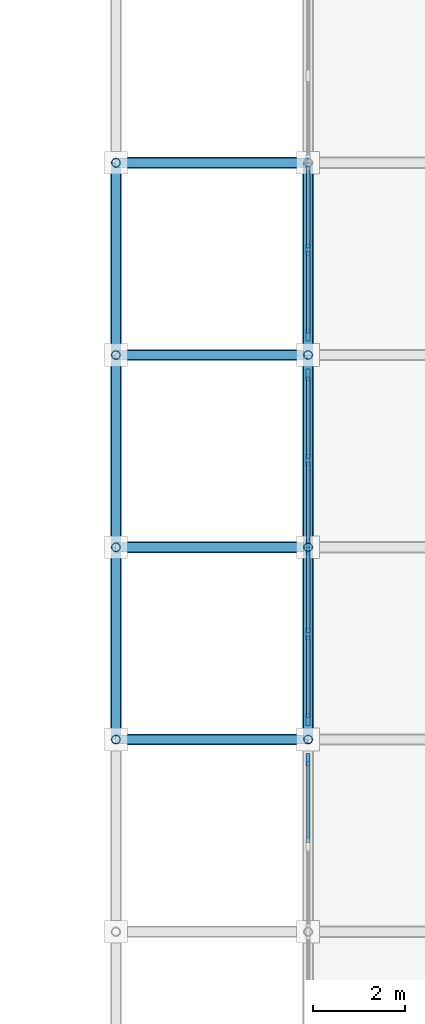
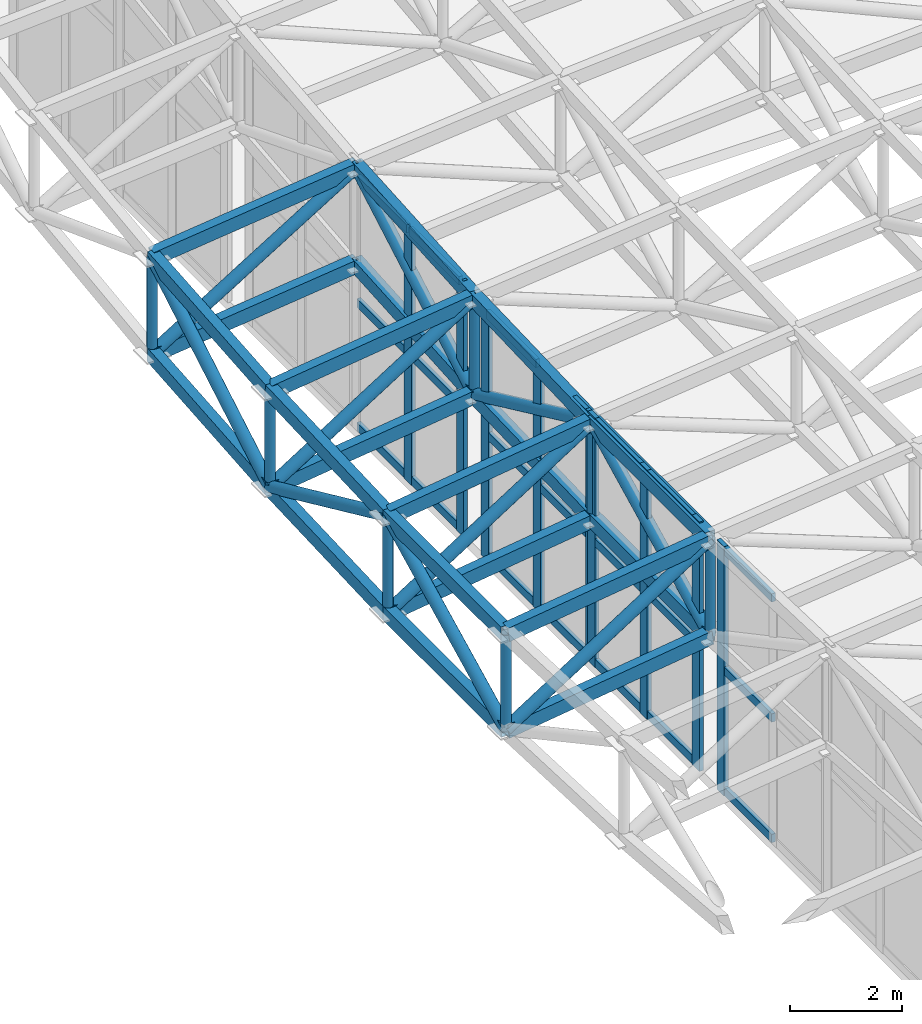
# One storey, part 41 of 123: 67 members, 4 elements without a shape of their own.
"""IFC4 building model written with IfcOpenShell, lengths in metres."""

from ifc_helpers import new_model, si_unit, direction, frame, origin, origin_2d, place, context, subcontext, project, spatial, rectangle, hollow_rectangle, hollow_circle, extrude, material, material_profile, profile_set, type_object, element, aggregate, save


model = new_model("IFC4")

# Units and contexts
model_context = context("Model", 3, precision=1e-05, world=origin(), true_north=direction((0.0, 1.0)))
body_context = subcontext(model_context, "Body", "Model", "MODEL_VIEW")
ifc_project = project(units=[si_unit("LENGTHUNIT", "METRE"), si_unit("AREAUNIT", "SQUARE_METRE"), si_unit("VOLUMEUNIT", "CUBIC_METRE"), si_unit("PLANEANGLEUNIT", "RADIAN"), si_unit("MASSUNIT", "GRAM", prefix="KILO")], contexts=[model_context])

# Site, building, storey
site_placement = place(None, origin())
site = spatial("IfcSite", under=ifc_project, at=site_placement, CompositionType="ELEMENT")
building_placement = place(site_placement, origin())
building = spatial("IfcBuilding", under=site, at=building_placement, Name="Cumbredor Promenade Congress Hotel", CompositionType="ELEMENT")
storey_placement = place(building_placement, frame((0.0, 0.0, 11.760009765625)))
storey = spatial("IfcBuildingStorey", under=building, at=storey_placement, Name="L03", CompositionType="ELEMENT", Elevation=11.760009765625)

# Members
ifc_material_1 = material(Name="Steel ASTM A500 Grade C", Category="steel")
ifc_material_profile_1 = material_profile(ifc_material_1, hollow_rectangle(XDim=0.199951171875, YDim=0.300048828125, WallThickness=0.012451171875, at=origin_2d()), Name="HSS 300x200x12.5")
ifc_profile_set_1 = profile_set([ifc_material_profile_1], Name="Steel ASTM A500 Grade C")
member_type_1 = type_object("IfcMemberType", Name="Ballroom Roof Space Frame Chord", PredefinedType="CHORD", material=ifc_profile_set_1)
for number, where, z_axis, x_axis, name in (
    (1, (138.60009765625, 33.60009765625, 4.651611328125), (0.990705341554, 0.0, 0.136025461649), (0.0, 1.0, 0.0), "Grand Ballroom Pavilion X Top Chord 1.9"),
    (2, (138.60009765625, 33.60009765625, 2.551513671875), (0.990705341554, 0.0, 0.136025461649), (0.0, 1.0, 0.0), "Grand Ballroom Pavilion X Bottom Chord 1.9"),
    (3, (138.60009765625, 37.800048828125, 4.651611328125), (0.990705341554, 0.0, 0.136025461649), (0.0, 1.0, 0.0), "Grand Ballroom Pavilion X Top Chord 1.10"),
    (4, (138.60009765625, 37.800048828125, 2.551513671875), (0.990705341554, 0.0, 0.136025461649), (0.0, 1.0, 0.0), "Grand Ballroom Pavilion X Bottom Chord 1.10"),
):
    element("IfcMember", number, at=place(storey_placement, frame(where, z_axis=z_axis, x_axis=x_axis)), inside=storey, type_object=member_type_1, Name=name, PredefinedType="CHORD", context=body_context, shape_type="SweptSolid", body=[
        extrude(hollow_rectangle(XDim=0.199951171875, YDim=0.300048828125, WallThickness=0.012451171875, at=origin_2d()), origin(), (0.0, 0.0, 1.0), 4.2392578125),
    ])
for number, where, z_axis, x_axis, name in (
    (5, (138.60009765625, 42.0, 4.828369140625), (0.991651121534, 0.0, 0.128949808689), (0.0, 1.0, 0.0), "Grand Ballroom Pavilion X Top Chord 1.11"),
    (6, (138.60009765625, 42.0, 2.728271484375), (0.991643748834, 0.0, 0.129006493628), (0.0, 1.0, 0.0), "Grand Ballroom Pavilion X Bottom Chord 1.11"),
):
    element("IfcMember", number, at=place(storey_placement, frame(where, z_axis=z_axis, x_axis=x_axis)), inside=storey, type_object=member_type_1, Name=name, PredefinedType="CHORD", context=body_context, shape_type="SweptSolid", body=[
        extrude(hollow_rectangle(XDim=0.199951171875, YDim=0.300048828125, WallThickness=0.012451171875, at=origin_2d()), origin(), (0.0, 0.0, 1.0), 4.2353515625),
    ])
member_1_placement = place(storey_placement, frame((138.60009765625, 46.199951171875, 5.181884765625), z_axis=(0.993382355075, 0.0, 0.114854240786), x_axis=(0.0, 1.0, 0.0)))
element("IfcMember", 7, at=member_1_placement, inside=storey, type_object=member_type_1, Name="Grand Ballroom Pavilion X Top Chord 1.12", PredefinedType="CHORD", context=body_context, shape_type="SweptSolid", body=[
    extrude(hollow_rectangle(XDim=0.199951171875, YDim=0.300048828125, WallThickness=0.012451171875, at=origin_2d()), origin(), (0.0, 0.0, 1.0), 4.22802734375),
])
member_2_placement = place(storey_placement, frame((138.60009765625, 46.199951171875, 3.08203125), z_axis=(0.99338894182, 0.0, 0.114797257242), x_axis=(0.0, 1.0, 0.0)))
element("IfcMember", 8, at=member_2_placement, inside=storey, type_object=member_type_1, Name="Grand Ballroom Pavilion X Bottom Chord 1.12", PredefinedType="CHORD", context=body_context, shape_type="SweptSolid", body=[
    extrude(hollow_rectangle(XDim=0.199951171875, YDim=0.300048828125, WallThickness=0.012451171875, at=origin_2d()), origin(), (0.0, 0.0, 1.0), 4.227783203125),
])
for number, where, z_axis, x_axis, name in (
    (9, (138.60009765625, 33.60009765625, 4.651611328125), (0.0, 1.0, 0.0), (-1.0, 0.0, 0.0), "Grand Ballroom Pavilion Y Top Chord 1.9"),
    (10, (138.60009765625, 33.60009765625, 2.551513671875), (0.0, 1.0, 0.0), (-1.0, 0.0, 0.0), "Grand Ballroom Pavilion Y Bottom Chord 1.9"),
):
    element("IfcMember", number, at=place(storey_placement, frame(where, z_axis=z_axis, x_axis=x_axis)), inside=storey, type_object=member_type_1, Name=name, PredefinedType="CHORD", context=body_context, shape_type="SweptSolid", body=[
        extrude(hollow_rectangle(XDim=0.199951171875, YDim=0.300048828125, WallThickness=0.012451171875, at=origin_2d()), origin(), (0.0, 0.0, 1.0), 4.199951171875),
    ])
for number, where, z_axis, x_axis, name in (
    (11, (138.60009765625, 37.800048828125, 4.651611328125), (0.0, 0.999115572358, 0.042048460989), (-1.0, 0.0, 0.0), "Grand Ballroom Pavilion Y Top Chord 1.10"),
    (12, (138.60009765625, 37.800048828125, 2.551513671875), (0.0, 0.999115572358, 0.042048460989), (-1.0, 0.0, 0.0), "Grand Ballroom Pavilion Y Bottom Chord 1.10"),
):
    element("IfcMember", number, at=place(storey_placement, frame(where, z_axis=z_axis, x_axis=x_axis)), inside=storey, type_object=member_type_1, Name=name, PredefinedType="CHORD", context=body_context, shape_type="SweptSolid", body=[
        extrude(hollow_rectangle(XDim=0.199951171875, YDim=0.300048828125, WallThickness=0.012451171875, at=origin_2d()), origin(), (0.0, 0.0, 1.0), 4.20361328125),
    ])
for number, where, z_axis, x_axis, name in (
    (13, (138.60009765625, 42.0, 4.828369140625), (0.0, 0.996476303168, 0.083874771086), (-1.0, 0.0, 0.0), "Grand Ballroom Pavilion Y Top Chord 1.11"),
    (14, (138.60009765625, 42.0, 2.728271484375), (0.0, 0.996471460241, 0.083932287734), (-1.0, 0.0, 0.0), "Grand Ballroom Pavilion Y Bottom Chord 1.11"),
):
    element("IfcMember", number, at=place(storey_placement, frame(where, z_axis=z_axis, x_axis=x_axis)), inside=storey, type_object=member_type_1, Name=name, PredefinedType="CHORD", context=body_context, shape_type="SweptSolid", body=[
        extrude(hollow_rectangle(XDim=0.199951171875, YDim=0.300048828125, WallThickness=0.012451171875, at=origin_2d()), origin(), (0.0, 0.0, 1.0), 4.21484375),
    ])
for number, where, z_axis, x_axis, name in (
    (15, (142.800048828125, 33.60009765625, 5.228271484375), (0.0, 1.0, 0.0), (-1.0, 0.0, 0.0), "Grand Ballroom Pavilion Y Top Chord 2.9"),
    (16, (142.800048828125, 33.60009765625, 3.128173828125), (0.0, 1.0, 0.0), (-1.0, 0.0, 0.0), "Grand Ballroom Pavilion Y Bottom Chord 2.9"),
):
    element("IfcMember", number, at=place(storey_placement, frame(where, z_axis=z_axis, x_axis=x_axis)), inside=storey, type_object=member_type_1, Name=name, PredefinedType="CHORD", context=body_context, shape_type="SweptSolid", body=[
        extrude(hollow_rectangle(XDim=0.199951171875, YDim=0.300048828125, WallThickness=0.012451171875, at=origin_2d()), origin(), (0.0, 0.0, 1.0), 4.199951171875),
    ])
for number, where, z_axis, x_axis, name in (
    (17, (142.800048828125, 37.800048828125, 5.228271484375), (0.0, 0.999394351583, 0.034798419845), (-1.0, 0.0, 0.0), "Grand Ballroom Pavilion Y Top Chord 2.10"),
    (18, (142.800048828125, 37.800048828125, 3.128173828125), (0.0, 0.999392329541, 0.034856443511), (-1.0, 0.0, 0.0), "Grand Ballroom Pavilion Y Bottom Chord 2.10"),
):
    element("IfcMember", number, at=place(storey_placement, frame(where, z_axis=z_axis, x_axis=x_axis)), inside=storey, type_object=member_type_1, Name=name, PredefinedType="CHORD", context=body_context, shape_type="SweptSolid", body=[
        extrude(hollow_rectangle(XDim=0.199951171875, YDim=0.300048828125, WallThickness=0.012451171875, at=origin_2d()), origin(), (0.0, 0.0, 1.0), 4.202392578125),
    ])
for number, where, z_axis, x_axis, name in (
    (19, (142.800048828125, 42.0, 5.37451171875), (0.0, 0.997575943438, 0.06958618451), (-1.0, 0.0, 0.0), "Grand Ballroom Pavilion Y Top Chord 2.11"),
    (20, (142.800048828125, 42.0, 3.274658203125), (0.0, 0.997579967201, 0.069528476468), (-1.0, 0.0, 0.0), "Grand Ballroom Pavilion Y Bottom Chord 2.11"),
):
    element("IfcMember", number, at=place(storey_placement, frame(where, z_axis=z_axis, x_axis=x_axis)), inside=storey, type_object=member_type_1, Name=name, PredefinedType="CHORD", context=body_context, shape_type="SweptSolid", body=[
        extrude(hollow_rectangle(XDim=0.199951171875, YDim=0.300048828125, WallThickness=0.012451171875, at=origin_2d()), origin(), (0.0, 0.0, 1.0), 4.210205078125),
    ])

# Curtain wall, member
ifc_material_2 = material(Name="Thermally broken anodized aluminium and low-E glass", Category="aluminium")
curtain_wall_type = type_object("IfcCurtainWallType", Name="Stepped Pavilion Clerestory Curtain Wall CW-06", PredefinedType="NOTDEFINED", material=ifc_material_2)
curtain_wall_1_placement = place(storey_placement, origin())
curtain_wall_1 = element("IfcCurtainWall", 21, at=curtain_wall_1_placement, inside=storey, type_object=curtain_wall_type, Name="Grand Ballroom Pavilion W Glazed Clerestory 6", PredefinedType="NOTDEFINED")
ifc_material_3 = material(Name="Thermally broken anodized aluminium", Category="aluminium")
ifc_material_profile_2 = material_profile(ifc_material_3, rectangle(XDim=0.0849609375, YDim=0.260009765625, at=origin_2d()), Name="ALU MULLION CLERESTORY 85x260")
ifc_profile_set_2 = profile_set([ifc_material_profile_2], Name="Thermally broken anodized aluminium")
member_type_2 = type_object("IfcMemberType", Name="Curtain Wall Mullion ML-04", PredefinedType="MULLION", material=ifc_profile_set_2)
member_3_placement = place(storey_placement, frame((142.800048828125, 33.159912109375, -0.01806640625), z_axis=(0.0, 0.0, 1.0), x_axis=(1.0, 0.0, 0.0)))
member_3 = element("IfcMember", 22, at=member_3_placement, type_object=member_type_2, Name="Grand Ballroom Pavilion W Glazed Clerestory 6 Mullion 3", PredefinedType="MULLION", context=body_context, shape_type="SweptSolid", body=[
    extrude(rectangle(XDim=0.0849609375, YDim=0.260009765625, at=origin_2d()), origin(), (0.0, 0.0, 1.0), 5.42236328125),
])

# Curtain wall, members
curtain_wall_2_placement = place(storey_placement, origin())
curtain_wall_2 = element("IfcCurtainWall", 23, at=curtain_wall_2_placement, inside=storey, type_object=curtain_wall_type, Name="Grand Ballroom Pavilion W Glazed Clerestory 7", PredefinedType="NOTDEFINED")
member_4_placement = place(storey_placement, frame((142.800048828125, 34.0400390625, -0.01806640625), z_axis=(0.0, 0.0, 1.0), x_axis=(1.0, 0.0, 0.0)))
member_4 = element("IfcMember", 24, at=member_4_placement, type_object=member_type_2, Name="Grand Ballroom Pavilion W Glazed Clerestory 7 Mullion 1", PredefinedType="MULLION", context=body_context, shape_type="SweptSolid", body=[
    extrude(rectangle(XDim=0.0849609375, YDim=0.260009765625, at=origin_2d()), origin(), (0.0, 0.0, 1.0), 5.42236328125),
])
member_5_placement = place(storey_placement, frame((142.800048828125, 35.89990234375, -0.01806640625), z_axis=(0.0, 0.0, 1.0), x_axis=(1.0, 0.0, 0.0)))
member_5 = element("IfcMember", 25, at=member_5_placement, type_object=member_type_2, Name="Grand Ballroom Pavilion W Glazed Clerestory 7 Mullion 2", PredefinedType="MULLION", context=body_context, shape_type="SweptSolid", body=[
    extrude(rectangle(XDim=0.0849609375, YDim=0.260009765625, at=origin_2d()), origin(), (0.0, 0.0, 1.0), 5.42236328125),
])
member_6_placement = place(storey_placement, frame((142.800048828125, 37.760009765625, -0.01806640625), z_axis=(0.0, 0.0, 1.0), x_axis=(1.0, 0.0, 0.0)))
member_6 = element("IfcMember", 26, at=member_6_placement, type_object=member_type_2, Name="Grand Ballroom Pavilion W Glazed Clerestory 7 Mullion 3", PredefinedType="MULLION", context=body_context, shape_type="SweptSolid", body=[
    extrude(rectangle(XDim=0.0849609375, YDim=0.260009765625, at=origin_2d()), origin(), (0.0, 0.0, 1.0), 5.42236328125),
])

curtain_wall_3_placement = place(storey_placement, origin())
curtain_wall_3 = element("IfcCurtainWall", 27, at=curtain_wall_3_placement, inside=storey, type_object=curtain_wall_type, Name="Grand Ballroom Pavilion W Glazed Clerestory 8", PredefinedType="NOTDEFINED")
member_7_placement = place(storey_placement, frame((142.800048828125, 37.840087890625, -0.01806640625), z_axis=(0.0, 0.0, 1.0), x_axis=(1.0, 0.0, 0.0)))
member_7 = element("IfcMember", 28, at=member_7_placement, type_object=member_type_2, Name="Grand Ballroom Pavilion W Glazed Clerestory 8 Mullion 1", PredefinedType="MULLION", context=body_context, shape_type="SweptSolid", body=[
    extrude(rectangle(XDim=0.0849609375, YDim=0.260009765625, at=origin_2d()), origin(), (0.0, 0.0, 1.0), 5.42236328125),
])
member_8_placement = place(storey_placement, frame((142.800048828125, 39.699951171875, -0.01806640625), z_axis=(0.0, 0.0, 1.0), x_axis=(1.0, 0.0, 0.0)))
member_8 = element("IfcMember", 29, at=member_8_placement, type_object=member_type_2, Name="Grand Ballroom Pavilion W Glazed Clerestory 8 Mullion 2", PredefinedType="MULLION", context=body_context, shape_type="SweptSolid", body=[
    extrude(rectangle(XDim=0.0849609375, YDim=0.260009765625, at=origin_2d()), origin(), (0.0, 0.0, 1.0), 5.42236328125),
])
member_9_placement = place(storey_placement, frame((142.800048828125, 41.56005859375, -0.01806640625), z_axis=(0.0, 0.0, 1.0), x_axis=(1.0, 0.0, 0.0)))
member_9 = element("IfcMember", 30, at=member_9_placement, type_object=member_type_2, Name="Grand Ballroom Pavilion W Glazed Clerestory 8 Mullion 3", PredefinedType="MULLION", context=body_context, shape_type="SweptSolid", body=[
    extrude(rectangle(XDim=0.0849609375, YDim=0.260009765625, at=origin_2d()), origin(), (0.0, 0.0, 1.0), 5.42236328125),
])

curtain_wall_4_placement = place(storey_placement, origin())
curtain_wall_4 = element("IfcCurtainWall", 31, at=curtain_wall_4_placement, inside=storey, type_object=curtain_wall_type, Name="Grand Ballroom Pavilion W Glazed Clerestory 9", PredefinedType="NOTDEFINED")
member_10_placement = place(storey_placement, frame((142.800048828125, 42.43994140625, -0.01806640625), z_axis=(0.0, 0.0, 1.0), x_axis=(1.0, 0.0, 0.0)))
member_10 = element("IfcMember", 32, at=member_10_placement, type_object=member_type_2, Name="Grand Ballroom Pavilion W Glazed Clerestory 9 Mullion 1", PredefinedType="MULLION", context=body_context, shape_type="SweptSolid", body=[
    extrude(rectangle(XDim=0.0849609375, YDim=0.260009765625, at=origin_2d()), origin(), (0.0, 0.0, 1.0), 5.568603515625),
])
member_11_placement = place(storey_placement, frame((142.800048828125, 44.300048828125, -0.01806640625), z_axis=(0.0, 0.0, 1.0), x_axis=(1.0, 0.0, 0.0)))
member_11 = element("IfcMember", 33, at=member_11_placement, type_object=member_type_2, Name="Grand Ballroom Pavilion W Glazed Clerestory 9 Mullion 2", PredefinedType="MULLION", context=body_context, shape_type="SweptSolid", body=[
    extrude(rectangle(XDim=0.0849609375, YDim=0.260009765625, at=origin_2d()), origin(), (0.0, 0.0, 1.0), 5.568603515625),
])

# Member
ifc_material_profile_3 = material_profile(ifc_material_3, rectangle(XDim=0.080078125, YDim=0.179931640625, at=origin_2d()), Name="ALU TRANSOM 80x180")
ifc_profile_set_3 = profile_set([ifc_material_profile_3], Name="Thermally broken anodized aluminium")
member_type_3 = type_object("IfcMemberType", Name="Curtain Wall Transom TR-03", PredefinedType="USERDEFINED", material=ifc_profile_set_3)
member_12_placement = place(storey_placement, frame((142.800048828125, 31.342529296875, 0.080078125), z_axis=(0.0, 1.0, 0.0), x_axis=(-1.0, 0.0, 0.0)))
member_12 = element("IfcMember", 34, at=member_12_placement, type_object=member_type_3, Name="Grand Ballroom Pavilion W Glazed Clerestory 6 Transom 2.1", ObjectType="TRANSOM", PredefinedType="USERDEFINED", context=body_context, shape_type="SweptSolid", body=[
    extrude(rectangle(XDim=0.080078125, YDim=0.179931640625, at=origin_2d()), origin(), (0.0, 0.0, 1.0), 1.77490234375),
])

member_13_placement = place(storey_placement, frame((142.800048828125, 31.342529296875, 2.699951171875), z_axis=(0.0, 1.0, 0.0), x_axis=(-1.0, 0.0, 0.0)))
member_13 = element("IfcMember", 35, at=member_13_placement, type_object=member_type_3, Name="Grand Ballroom Pavilion W Glazed Clerestory 6 Transom 2.2", ObjectType="TRANSOM", PredefinedType="USERDEFINED", context=body_context, shape_type="SweptSolid", body=[
    extrude(rectangle(XDim=0.080078125, YDim=0.179931640625, at=origin_2d()), origin(), (0.0, 0.0, 1.0), 1.77490234375),
])

member_14_placement = place(storey_placement, frame((142.800048828125, 31.342529296875, 5.31005859375), z_axis=(0.0, 1.0, 0.0), x_axis=(-1.0, 0.0, 0.0)))
member_14 = element("IfcMember", 36, at=member_14_placement, type_object=member_type_3, Name="Grand Ballroom Pavilion W Glazed Clerestory 6 Transom 2.3", ObjectType="TRANSOM", PredefinedType="USERDEFINED", context=body_context, shape_type="SweptSolid", body=[
    extrude(rectangle(XDim=0.080078125, YDim=0.179931640625, at=origin_2d()), origin(), (0.0, 0.0, 1.0), 1.77490234375),
])

aggregate(curtain_wall_1, [member_3, member_12, member_13, member_14])

member_15_placement = place(storey_placement, frame((142.800048828125, 34.08251953125, 0.080078125), z_axis=(0.0, 1.0, 0.0), x_axis=(-1.0, 0.0, 0.0)))
member_15 = element("IfcMember", 37, at=member_15_placement, type_object=member_type_3, Name="Grand Ballroom Pavilion W Glazed Clerestory 7 Transom 1.1", ObjectType="TRANSOM", PredefinedType="USERDEFINED", context=body_context, shape_type="SweptSolid", body=[
    extrude(rectangle(XDim=0.080078125, YDim=0.179931640625, at=origin_2d()), origin(), (0.0, 0.0, 1.0), 1.77490234375),
])

member_16_placement = place(storey_placement, frame((142.800048828125, 34.08251953125, 2.699951171875), z_axis=(0.0, 1.0, 0.0), x_axis=(-1.0, 0.0, 0.0)))
member_16 = element("IfcMember", 38, at=member_16_placement, type_object=member_type_3, Name="Grand Ballroom Pavilion W Glazed Clerestory 7 Transom 1.2", ObjectType="TRANSOM", PredefinedType="USERDEFINED", context=body_context, shape_type="SweptSolid", body=[
    extrude(rectangle(XDim=0.080078125, YDim=0.179931640625, at=origin_2d()), origin(), (0.0, 0.0, 1.0), 1.77490234375),
])

member_17_placement = place(storey_placement, frame((142.800048828125, 34.08251953125, 5.31005859375), z_axis=(0.0, 1.0, 0.0), x_axis=(-1.0, 0.0, 0.0)))
member_17 = element("IfcMember", 39, at=member_17_placement, type_object=member_type_3, Name="Grand Ballroom Pavilion W Glazed Clerestory 7 Transom 1.3", ObjectType="TRANSOM", PredefinedType="USERDEFINED", context=body_context, shape_type="SweptSolid", body=[
    extrude(rectangle(XDim=0.080078125, YDim=0.179931640625, at=origin_2d()), origin(), (0.0, 0.0, 1.0), 1.77490234375),
])

member_18_placement = place(storey_placement, frame((142.800048828125, 35.9423828125, 0.080078125), z_axis=(0.0, 1.0, 0.0), x_axis=(-1.0, 0.0, 0.0)))
member_18 = element("IfcMember", 40, at=member_18_placement, type_object=member_type_3, Name="Grand Ballroom Pavilion W Glazed Clerestory 7 Transom 2.1", ObjectType="TRANSOM", PredefinedType="USERDEFINED", context=body_context, shape_type="SweptSolid", body=[
    extrude(rectangle(XDim=0.080078125, YDim=0.179931640625, at=origin_2d()), origin(), (0.0, 0.0, 1.0), 1.775146484375),
])

member_19_placement = place(storey_placement, frame((142.800048828125, 35.9423828125, 2.699951171875), z_axis=(0.0, 1.0, 0.0), x_axis=(-1.0, 0.0, 0.0)))
member_19 = element("IfcMember", 41, at=member_19_placement, type_object=member_type_3, Name="Grand Ballroom Pavilion W Glazed Clerestory 7 Transom 2.2", ObjectType="TRANSOM", PredefinedType="USERDEFINED", context=body_context, shape_type="SweptSolid", body=[
    extrude(rectangle(XDim=0.080078125, YDim=0.179931640625, at=origin_2d()), origin(), (0.0, 0.0, 1.0), 1.775146484375),
])

member_20_placement = place(storey_placement, frame((142.800048828125, 35.9423828125, 5.31005859375), z_axis=(0.0, 1.0, 0.0), x_axis=(-1.0, 0.0, 0.0)))
member_20 = element("IfcMember", 42, at=member_20_placement, type_object=member_type_3, Name="Grand Ballroom Pavilion W Glazed Clerestory 7 Transom 2.3", ObjectType="TRANSOM", PredefinedType="USERDEFINED", context=body_context, shape_type="SweptSolid", body=[
    extrude(rectangle(XDim=0.080078125, YDim=0.179931640625, at=origin_2d()), origin(), (0.0, 0.0, 1.0), 1.775146484375),
])

aggregate(curtain_wall_2, [member_4, member_5, member_6, member_15, member_16, member_17, member_18, member_19, member_20])

member_21_placement = place(storey_placement, frame((142.800048828125, 37.882568359375, 0.080078125), z_axis=(0.0, 1.0, 0.0), x_axis=(-1.0, 0.0, 0.0)))
member_21 = element("IfcMember", 43, at=member_21_placement, type_object=member_type_3, Name="Grand Ballroom Pavilion W Glazed Clerestory 8 Transom 1.1", ObjectType="TRANSOM", PredefinedType="USERDEFINED", context=body_context, shape_type="SweptSolid", body=[
    extrude(rectangle(XDim=0.080078125, YDim=0.179931640625, at=origin_2d()), origin(), (0.0, 0.0, 1.0), 1.77490234375),
])

member_22_placement = place(storey_placement, frame((142.800048828125, 37.882568359375, 2.699951171875), z_axis=(0.0, 1.0, 0.0), x_axis=(-1.0, 0.0, 0.0)))
member_22 = element("IfcMember", 44, at=member_22_placement, type_object=member_type_3, Name="Grand Ballroom Pavilion W Glazed Clerestory 8 Transom 1.2", ObjectType="TRANSOM", PredefinedType="USERDEFINED", context=body_context, shape_type="SweptSolid", body=[
    extrude(rectangle(XDim=0.080078125, YDim=0.179931640625, at=origin_2d()), origin(), (0.0, 0.0, 1.0), 1.77490234375),
])

member_23_placement = place(storey_placement, frame((142.800048828125, 37.882568359375, 5.31005859375), z_axis=(0.0, 1.0, 0.0), x_axis=(-1.0, 0.0, 0.0)))
member_23 = element("IfcMember", 45, at=member_23_placement, type_object=member_type_3, Name="Grand Ballroom Pavilion W Glazed Clerestory 8 Transom 1.3", ObjectType="TRANSOM", PredefinedType="USERDEFINED", context=body_context, shape_type="SweptSolid", body=[
    extrude(rectangle(XDim=0.080078125, YDim=0.179931640625, at=origin_2d()), origin(), (0.0, 0.0, 1.0), 1.77490234375),
])

member_24_placement = place(storey_placement, frame((142.800048828125, 39.742431640625, 0.080078125), z_axis=(0.0, 1.0, 0.0), x_axis=(-1.0, 0.0, 0.0)))
member_24 = element("IfcMember", 46, at=member_24_placement, type_object=member_type_3, Name="Grand Ballroom Pavilion W Glazed Clerestory 8 Transom 2.1", ObjectType="TRANSOM", PredefinedType="USERDEFINED", context=body_context, shape_type="SweptSolid", body=[
    extrude(rectangle(XDim=0.080078125, YDim=0.179931640625, at=origin_2d()), origin(), (0.0, 0.0, 1.0), 1.775146484375),
])

member_25_placement = place(storey_placement, frame((142.800048828125, 39.742431640625, 2.699951171875), z_axis=(0.0, 1.0, 0.0), x_axis=(-1.0, 0.0, 0.0)))
member_25 = element("IfcMember", 47, at=member_25_placement, type_object=member_type_3, Name="Grand Ballroom Pavilion W Glazed Clerestory 8 Transom 2.2", ObjectType="TRANSOM", PredefinedType="USERDEFINED", context=body_context, shape_type="SweptSolid", body=[
    extrude(rectangle(XDim=0.080078125, YDim=0.179931640625, at=origin_2d()), origin(), (0.0, 0.0, 1.0), 1.775146484375),
])

member_26_placement = place(storey_placement, frame((142.800048828125, 39.742431640625, 5.31005859375), z_axis=(0.0, 1.0, 0.0), x_axis=(-1.0, 0.0, 0.0)))
member_26 = element("IfcMember", 48, at=member_26_placement, type_object=member_type_3, Name="Grand Ballroom Pavilion W Glazed Clerestory 8 Transom 2.3", ObjectType="TRANSOM", PredefinedType="USERDEFINED", context=body_context, shape_type="SweptSolid", body=[
    extrude(rectangle(XDim=0.080078125, YDim=0.179931640625, at=origin_2d()), origin(), (0.0, 0.0, 1.0), 1.775146484375),
])

aggregate(curtain_wall_3, [member_7, member_8, member_9, member_21, member_22, member_23, member_24, member_25, member_26])

member_27_placement = place(storey_placement, frame((142.800048828125, 42.482421875, 0.080078125), z_axis=(0.0, 1.0, 0.0), x_axis=(-1.0, 0.0, 0.0)))
member_27 = element("IfcMember", 49, at=member_27_placement, type_object=member_type_3, Name="Grand Ballroom Pavilion W Glazed Clerestory 9 Transom 1.1", ObjectType="TRANSOM", PredefinedType="USERDEFINED", context=body_context, shape_type="SweptSolid", body=[
    extrude(rectangle(XDim=0.080078125, YDim=0.179931640625, at=origin_2d()), origin(), (0.0, 0.0, 1.0), 1.775146484375),
])

member_28_placement = place(storey_placement, frame((142.800048828125, 42.482421875, 2.77001953125), z_axis=(0.0, 1.0, 0.0), x_axis=(-1.0, 0.0, 0.0)))
member_28 = element("IfcMember", 50, at=member_28_placement, type_object=member_type_3, Name="Grand Ballroom Pavilion W Glazed Clerestory 9 Transom 1.2", ObjectType="TRANSOM", PredefinedType="USERDEFINED", context=body_context, shape_type="SweptSolid", body=[
    extrude(rectangle(XDim=0.080078125, YDim=0.179931640625, at=origin_2d()), origin(), (0.0, 0.0, 1.0), 1.775146484375),
])

member_29_placement = place(storey_placement, frame((142.800048828125, 42.482421875, 5.449951171875), z_axis=(0.0, 1.0, 0.0), x_axis=(-1.0, 0.0, 0.0)))
member_29 = element("IfcMember", 51, at=member_29_placement, type_object=member_type_3, Name="Grand Ballroom Pavilion W Glazed Clerestory 9 Transom 1.3", ObjectType="TRANSOM", PredefinedType="USERDEFINED", context=body_context, shape_type="SweptSolid", body=[
    extrude(rectangle(XDim=0.080078125, YDim=0.179931640625, at=origin_2d()), origin(), (0.0, 0.0, 1.0), 1.775146484375),
])

member_30_placement = place(storey_placement, frame((142.800048828125, 44.342529296875, 0.080078125), z_axis=(0.0, 1.0, 0.0), x_axis=(-1.0, 0.0, 0.0)))
member_30 = element("IfcMember", 52, at=member_30_placement, type_object=member_type_3, Name="Grand Ballroom Pavilion W Glazed Clerestory 9 Transom 2.1", ObjectType="TRANSOM", PredefinedType="USERDEFINED", context=body_context, shape_type="SweptSolid", body=[
    extrude(rectangle(XDim=0.080078125, YDim=0.179931640625, at=origin_2d()), origin(), (0.0, 0.0, 1.0), 1.77490234375),
])

member_31_placement = place(storey_placement, frame((142.800048828125, 44.342529296875, 2.77001953125), z_axis=(0.0, 1.0, 0.0), x_axis=(-1.0, 0.0, 0.0)))
member_31 = element("IfcMember", 53, at=member_31_placement, type_object=member_type_3, Name="Grand Ballroom Pavilion W Glazed Clerestory 9 Transom 2.2", ObjectType="TRANSOM", PredefinedType="USERDEFINED", context=body_context, shape_type="SweptSolid", body=[
    extrude(rectangle(XDim=0.080078125, YDim=0.179931640625, at=origin_2d()), origin(), (0.0, 0.0, 1.0), 1.77490234375),
])

member_32_placement = place(storey_placement, frame((142.800048828125, 44.342529296875, 5.449951171875), z_axis=(0.0, 1.0, 0.0), x_axis=(-1.0, 0.0, 0.0)))
member_32 = element("IfcMember", 54, at=member_32_placement, type_object=member_type_3, Name="Grand Ballroom Pavilion W Glazed Clerestory 9 Transom 2.3", ObjectType="TRANSOM", PredefinedType="USERDEFINED", context=body_context, shape_type="SweptSolid", body=[
    extrude(rectangle(XDim=0.080078125, YDim=0.179931640625, at=origin_2d()), origin(), (0.0, 0.0, 1.0), 1.77490234375),
])

aggregate(curtain_wall_4, [member_10, member_11, member_27, member_28, member_29, member_30, member_31, member_32])

# Members
ifc_material_profile_4 = material_profile(ifc_material_1, hollow_circle(Radius=0.122314453125, WallThickness=0.012451171875, at=origin_2d()), Name="CHS 244.5x12.5")
ifc_profile_set_4 = profile_set([ifc_material_profile_4], Name="Steel ASTM A500 Grade C")
member_type_4 = type_object("IfcMemberType", Name="Space Frame Web Diagonal D2", PredefinedType="BRACE", material=ifc_profile_set_4)
for number, where, z_axis, x_axis, name in (
    (55, (138.60009765625, 33.60009765625, 2.551513671875), (0.843291907561, 0.0, 0.537455820177), (0.0, 1.0, 0.0), "Grand Ballroom Pavilion X Web Diagonal 1.9"),
    (56, (138.60009765625, 37.800048828125, 2.551513671875), (0.843291907561, 0.0, 0.537455820177), (0.0, 1.0, 0.0), "Grand Ballroom Pavilion X Web Diagonal 1.10"),
):
    element("IfcMember", number, at=place(storey_placement, frame(where, z_axis=z_axis, x_axis=x_axis)), inside=storey, type_object=member_type_4, Name=name, PredefinedType="BRACE", context=body_context, shape_type="SweptSolid", body=[
        extrude(hollow_circle(Radius=0.122314453125, WallThickness=0.012451171875, at=origin_2d()), origin(), (0.0, 0.0, 1.0), 4.98046875),
    ])
member_33_placement = place(storey_placement, frame((138.60009765625, 42.0, 2.728271484375), z_axis=(0.846066896531, 0.0, 0.533076736122), x_axis=(0.0, 1.0, 0.0)))
element("IfcMember", 57, at=member_33_placement, inside=storey, type_object=member_type_4, Name="Grand Ballroom Pavilion X Web Diagonal 1.11", PredefinedType="BRACE", context=body_context, shape_type="SweptSolid", body=[
    extrude(hollow_circle(Radius=0.122314453125, WallThickness=0.012451171875, at=origin_2d()), origin(), (0.0, 0.0, 1.0), 4.964111328125),
])
member_34_placement = place(storey_placement, frame((138.60009765625, 46.199951171875, 3.08203125), z_axis=(0.851580124067, 0.0, 0.524224467469), x_axis=(0.0, 1.0, 0.0)))
element("IfcMember", 58, at=member_34_placement, inside=storey, type_object=member_type_4, Name="Grand Ballroom Pavilion X Web Diagonal 1.12", PredefinedType="BRACE", context=body_context, shape_type="SweptSolid", body=[
    extrude(hollow_circle(Radius=0.122314453125, WallThickness=0.012451171875, at=origin_2d()), origin(), (0.0, 0.0, 1.0), 4.931884765625),
])
member_35_placement = place(storey_placement, frame((138.60009765625, 33.60009765625, 2.551513671875), z_axis=(0.0, 0.894416792377, 0.447234392142), x_axis=(-1.0, 0.0, 0.0)))
element("IfcMember", 59, at=member_35_placement, inside=storey, type_object=member_type_4, Name="Grand Ballroom Pavilion Y Web Diagonal 1.9", PredefinedType="BRACE", context=body_context, shape_type="SweptSolid", body=[
    extrude(hollow_circle(Radius=0.122314453125, WallThickness=0.012451171875, at=origin_2d()), origin(), (0.0, 0.0, 1.0), 4.69580078125),
])
member_36_placement = place(storey_placement, frame((138.60009765625, 37.800048828125, 4.651611328125), z_axis=(0.0, 0.909199064719, -0.41636169458), x_axis=(-1.0, 0.0, 0.0)))
element("IfcMember", 60, at=member_36_placement, inside=storey, type_object=member_type_4, Name="Grand Ballroom Pavilion Y Web Diagonal 1.10", PredefinedType="BRACE", context=body_context, shape_type="SweptSolid", body=[
    extrude(hollow_circle(Radius=0.122314453125, WallThickness=0.012451171875, at=origin_2d()), origin(), (0.0, 0.0, 1.0), 4.619384765625),
])
member_37_placement = place(storey_placement, frame((138.60009765625, 42.0, 2.728271484375), z_axis=(0.0, 0.863452862404, 0.504429533637), x_axis=(-1.0, 0.0, 0.0)))
element("IfcMember", 61, at=member_37_placement, inside=storey, type_object=member_type_4, Name="Grand Ballroom Pavilion Y Web Diagonal 1.11", PredefinedType="BRACE", context=body_context, shape_type="SweptSolid", body=[
    extrude(hollow_circle(Radius=0.122314453125, WallThickness=0.012451171875, at=origin_2d()), origin(), (0.0, 0.0, 1.0), 4.864013671875),
])
member_38_placement = place(storey_placement, frame((142.800048828125, 33.60009765625, 3.128173828125), z_axis=(0.0, 0.894416792377, 0.447234392142), x_axis=(-1.0, 0.0, 0.0)))
element("IfcMember", 62, at=member_38_placement, inside=storey, type_object=member_type_4, Name="Grand Ballroom Pavilion Y Web Diagonal 2.9", PredefinedType="BRACE", context=body_context, shape_type="SweptSolid", body=[
    extrude(hollow_circle(Radius=0.122314453125, WallThickness=0.012451171875, at=origin_2d()), origin(), (0.0, 0.0, 1.0), 4.69580078125),
])
member_39_placement = place(storey_placement, frame((142.800048828125, 37.800048828125, 5.228271484375), z_axis=(0.0, 0.906708925049, -0.42175695043), x_axis=(-1.0, 0.0, 0.0)))
element("IfcMember", 63, at=member_39_placement, inside=storey, type_object=member_type_4, Name="Grand Ballroom Pavilion Y Web Diagonal 2.10", PredefinedType="BRACE", context=body_context, shape_type="SweptSolid", body=[
    extrude(hollow_circle(Radius=0.122314453125, WallThickness=0.012451171875, at=origin_2d()), origin(), (0.0, 0.0, 1.0), 4.632080078125),
])
member_40_placement = place(storey_placement, frame((142.800048828125, 42.0, 3.274658203125), z_axis=(0.0, 0.868879596978, 0.495023480206), x_axis=(-1.0, 0.0, 0.0)))
element("IfcMember", 64, at=member_40_placement, inside=storey, type_object=member_type_4, Name="Grand Ballroom Pavilion Y Web Diagonal 2.11", PredefinedType="BRACE", context=body_context, shape_type="SweptSolid", body=[
    extrude(hollow_circle(Radius=0.122314453125, WallThickness=0.012451171875, at=origin_2d()), origin(), (0.0, 0.0, 1.0), 4.833740234375),
])
ifc_material_profile_5 = material_profile(ifc_material_1, hollow_circle(Radius=0.096923828125, WallThickness=0.010009765625, at=origin_2d()), Name="CHS 193.7x10")
ifc_profile_set_5 = profile_set([ifc_material_profile_5], Name="Steel ASTM A500 Grade C")
member_type_5 = type_object("IfcMemberType", Name="Space Frame Web Post P1", PredefinedType="BRACE", material=ifc_profile_set_5)
for number, where, z_axis, x_axis, name in (
    (65, (138.60009765625, 33.60009765625, 2.551513671875), (0.0, 0.0, 1.0), (1.0, 0.0, 0.0), "Grand Ballroom Pavilion Space Frame Web Post 1.9"),
    (66, (138.60009765625, 37.800048828125, 2.551513671875), (0.0, 0.0, 1.0), (1.0, 0.0, 0.0), "Grand Ballroom Pavilion Space Frame Web Post 1.10"),
    (67, (138.60009765625, 42.0, 2.728271484375), (0.0, 0.0, 1.0), (1.0, 0.0, 0.0), "Grand Ballroom Pavilion Space Frame Web Post 1.11"),
):
    element("IfcMember", number, at=place(storey_placement, frame(where, z_axis=z_axis, x_axis=x_axis)), inside=storey, type_object=member_type_5, Name=name, PredefinedType="BRACE", context=body_context, shape_type="SweptSolid", body=[
        extrude(hollow_circle(Radius=0.096923828125, WallThickness=0.010009765625, at=origin_2d()), origin(), (0.0, 0.0, 1.0), 2.10009765625),
    ])
member_41_placement = place(storey_placement, frame((138.60009765625, 46.199951171875, 3.08203125), z_axis=(0.0, 0.0, 1.0), x_axis=(1.0, 0.0, 0.0)))
element("IfcMember", 68, at=member_41_placement, inside=storey, type_object=member_type_5, Name="Grand Ballroom Pavilion Space Frame Web Post 1.12", PredefinedType="BRACE", context=body_context, shape_type="SweptSolid", body=[
    extrude(hollow_circle(Radius=0.096923828125, WallThickness=0.010009765625, at=origin_2d()), origin(), (0.0, 0.0, 1.0), 2.099853515625),
])
for number, where, z_axis, x_axis, name in (
    (69, (142.800048828125, 33.60009765625, 3.128173828125), (0.0, 0.0, 1.0), (1.0, 0.0, 0.0), "Grand Ballroom Pavilion Space Frame Web Post 2.9"),
    (70, (142.800048828125, 37.800048828125, 3.128173828125), (0.0, 0.0, 1.0), (1.0, 0.0, 0.0), "Grand Ballroom Pavilion Space Frame Web Post 2.10"),
):
    element("IfcMember", number, at=place(storey_placement, frame(where, z_axis=z_axis, x_axis=x_axis)), inside=storey, type_object=member_type_5, Name=name, PredefinedType="BRACE", context=body_context, shape_type="SweptSolid", body=[
        extrude(hollow_circle(Radius=0.096923828125, WallThickness=0.010009765625, at=origin_2d()), origin(), (0.0, 0.0, 1.0), 2.10009765625),
    ])
member_42_placement = place(storey_placement, frame((142.800048828125, 42.0, 3.274658203125), z_axis=(0.0, 0.0, 1.0), x_axis=(1.0, 0.0, 0.0)))
element("IfcMember", 71, at=member_42_placement, inside=storey, type_object=member_type_5, Name="Grand Ballroom Pavilion Space Frame Web Post 2.11", PredefinedType="BRACE", context=body_context, shape_type="SweptSolid", body=[
    extrude(hollow_circle(Radius=0.096923828125, WallThickness=0.010009765625, at=origin_2d()), origin(), (0.0, 0.0, 1.0), 2.099853515625),
])

save(model, "model.ifc")
